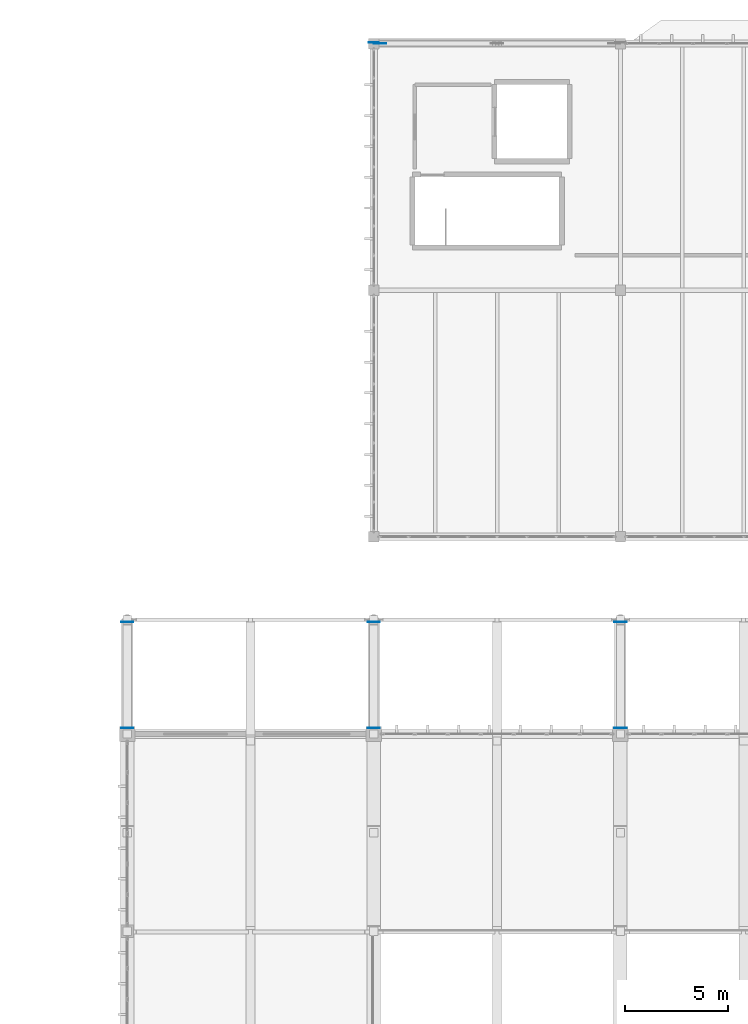
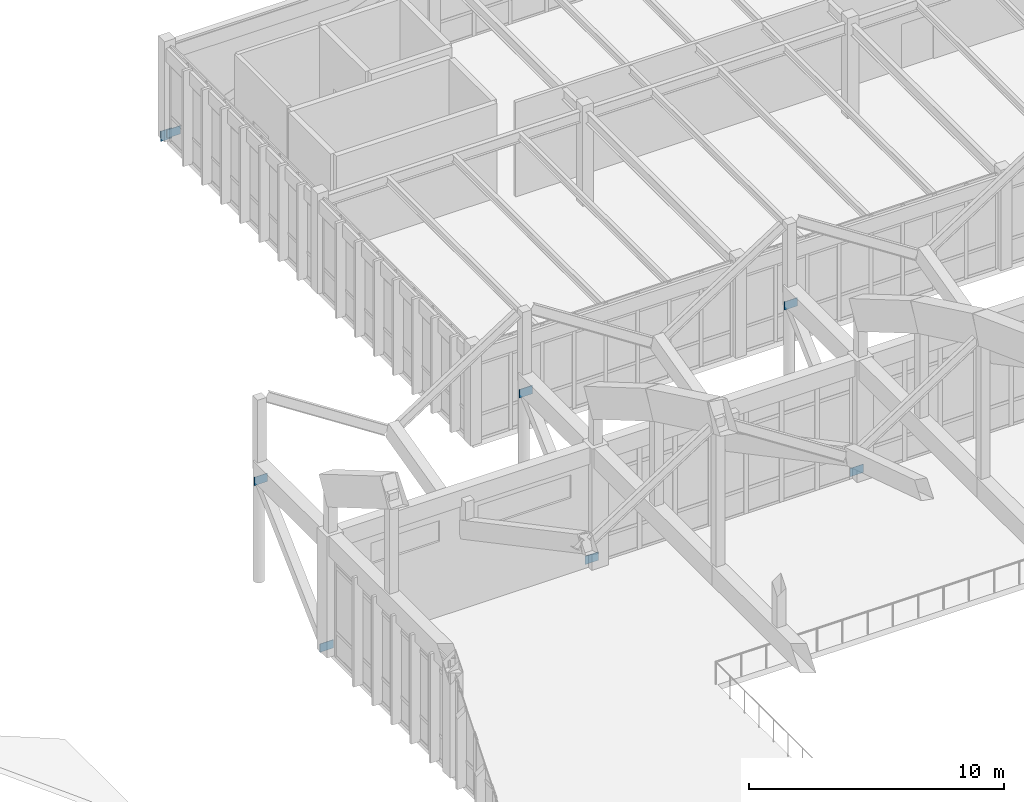
# One storey, part 212 of 236: 8 plates.
"""IFC4 building model written with IfcOpenShell, lengths in metres."""

from ifc_helpers import new_model, si_unit, direction, frame, origin, origin_2d, place, context, subcontext, project, spatial, rectangle, extrude, material, layer, layer_set, type_object, element, save


model = new_model("IFC4")

# Units and contexts
model_context = context("Model", 3, precision=1e-05, world=origin(), true_north=direction((0.0, 1.0)))
body_context = subcontext(model_context, "Body", "Model", "MODEL_VIEW")
ifc_project = project(units=[si_unit("LENGTHUNIT", "METRE"), si_unit("AREAUNIT", "SQUARE_METRE"), si_unit("VOLUMEUNIT", "CUBIC_METRE"), si_unit("PLANEANGLEUNIT", "RADIAN"), si_unit("MASSUNIT", "GRAM", prefix="KILO")], contexts=[model_context])

# Site, building, storey
site_placement = place(None, origin())
site = spatial("IfcSite", under=ifc_project, at=site_placement, CompositionType="ELEMENT")
building_placement = place(site_placement, origin())
building = spatial("IfcBuilding", under=site, at=building_placement, Name="Pandanus Reach Market Hall", CompositionType="ELEMENT")
storey_placement = place(building_placement, frame((0.0, 0.0, 5.39990234375)))
storey = spatial("IfcBuildingStorey", under=building, at=storey_placement, Name="L01", CompositionType="ELEMENT", Elevation=5.39990234375)

# Plates
ifc_material = material(Name="Steel Grade 350 (350 MPa)", Category="steel")
ifc_layer_1 = layer(ifc_material, 0.02001953125, Name="GS-PL20")
ifc_layer_set_1 = layer_set([ifc_layer_1], Name="Steel Grade 350 (350 MPa)")
plate_type_1 = type_object("IfcPlateType", Name="GS-PL20", PredefinedType="SHEET", material=ifc_layer_set_1)
plate_placement = place(storey_placement, frame((60.0, 120.050048828125, -0.14990234375), z_axis=(0.0, 0.0, 1.0), x_axis=(1.0, 0.0, 0.0)))
element("IfcPlate", 1, at=plate_placement, inside=storey, type_object=plate_type_1, Name="Diagrid rib end anchorage plate GS-PL20 15A", PredefinedType="SHEET", context=body_context, shape_type="SweptSolid", body=[
    extrude(rectangle(XDim=0.5, YDim=0.02001953125, at=origin_2d()), origin(), (0.0, 0.0, 1.0), 0.5),
])
ifc_layer_2 = layer(ifc_material, 0.02392578125, Name="GS-PL24")
ifc_layer_set_2 = layer_set([ifc_layer_2], Name="Steel Grade 350 (350 MPa)")
plate_type_2 = type_object("IfcPlateType", Name="GS-PL24", PredefinedType="SHEET", material=ifc_layer_set_2)
for number, where, z_axis, x_axis, name in (
    (2, (48.0, 86.699951171875, -0.14990234375), (0.0, 0.0, 1.0), (1.0, 0.0, 0.0), "Arcade splayed strut anchorage plate GS-PL24 1NA"),
    (3, (48.0, 91.85009765625, 4.7001953125), (0.0, 0.0, 1.0), (1.0, 0.0, 0.0), "Arcade splayed strut anchorage plate GS-PL24 1NB"),
    (4, (60.0, 86.699951171875, -0.14990234375), (0.0, 0.0, 1.0), (1.0, 0.0, 0.0), "Arcade splayed strut anchorage plate GS-PL24 2NA"),
    (5, (60.0, 91.85009765625, 4.7001953125), (0.0, 0.0, 1.0), (1.0, 0.0, 0.0), "Arcade splayed strut anchorage plate GS-PL24 2NB"),
    (6, (72.0, 86.699951171875, -0.14990234375), (0.0, 0.0, 1.0), (1.0, 0.0, 0.0), "Arcade splayed strut anchorage plate GS-PL24 3NA"),
    (7, (72.0, 91.85009765625, 4.7001953125), (0.0, 0.0, 1.0), (1.0, 0.0, 0.0), "Arcade splayed strut anchorage plate GS-PL24 3NB"),
    (8, (60.300048828125, 120.0, -0.0498046875), (0.0, 0.0, 1.0), (1.0, 0.0, 0.0), "Brace gusset plate GS-PL24 7L"),
):
    element("IfcPlate", number, at=place(storey_placement, frame(where, z_axis=z_axis, x_axis=x_axis)), inside=storey, type_object=plate_type_2, Name=name, PredefinedType="SHEET", context=body_context, shape_type="SweptSolid", body=[
        extrude(rectangle(XDim=0.60009765625, YDim=0.02392578125, at=origin_2d()), origin(), (0.0, 0.0, 1.0), 0.39990234375),
    ])

save(model, "model.ifc")
